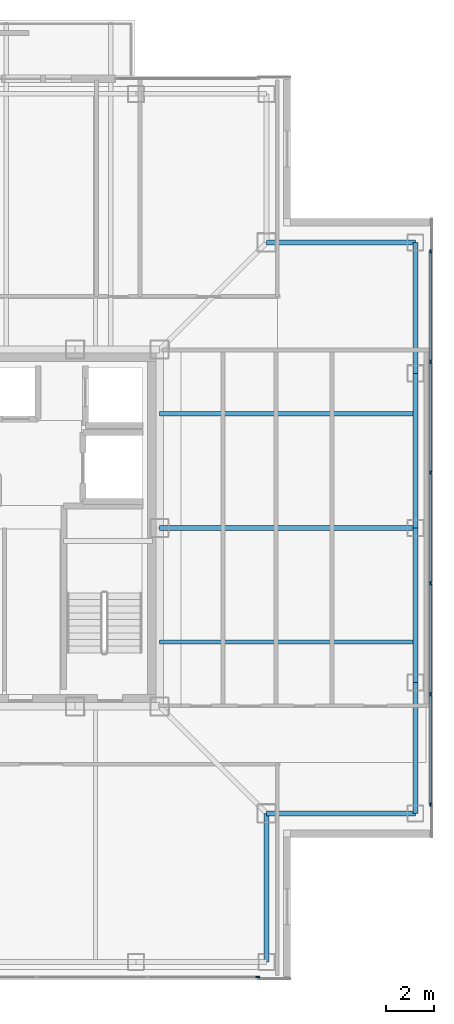
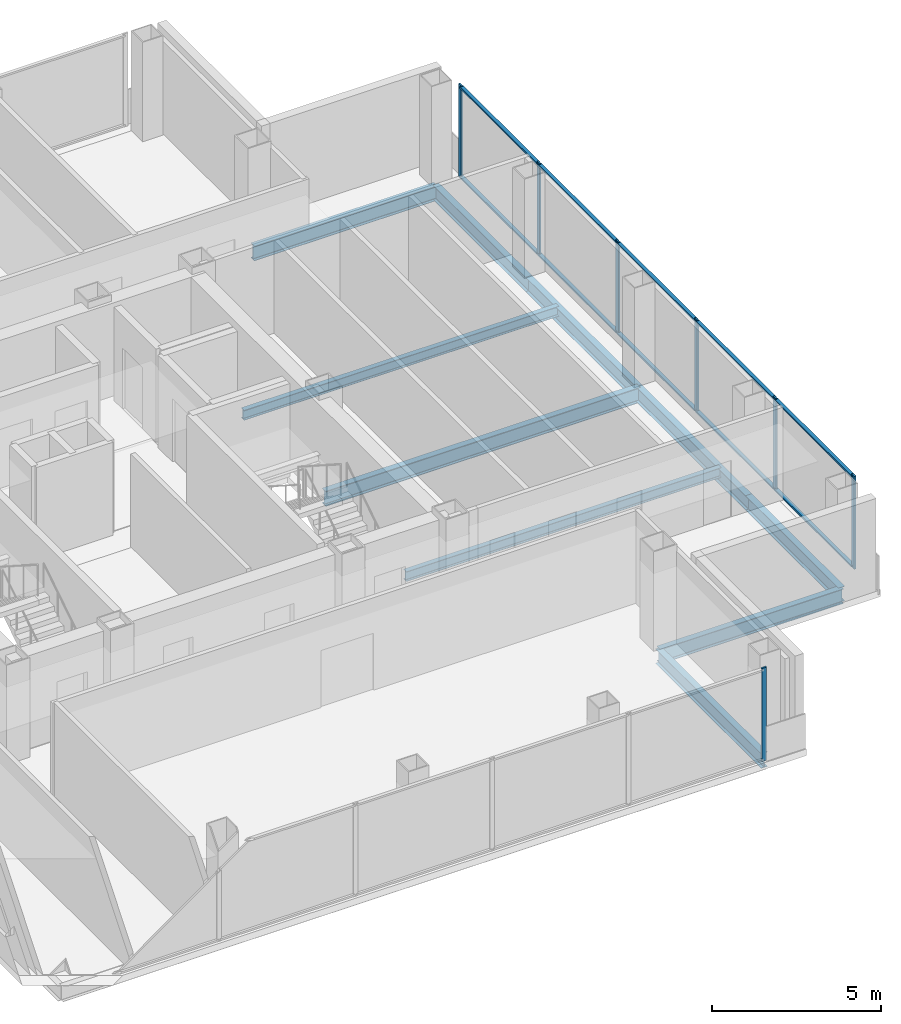
# One storey, part 6 of 13: 17 members, 10 beams, 2 elements without a shape of their own.
"""IFC4 building model written with IfcOpenShell, lengths in metres."""

import ifcopenshell
import ifcopenshell.guid

model = None  # the IFC model being written
_history = None  # IfcOwnerHistory: only IFC2X3 demands one
_inside = {}  # id of a spatial element -> (the spatial element, [elements in it])
_under = {}  # id of a project, library or spatial element -> (it, [spatial elements below it])
_declared = {}  # id of a project -> (the project, [libraries it declares])
_typed = {}  # id of a type object -> (the type object, [elements of that type])
_made_of = {}  # id of a material, layer set ... -> (it, [elements and type objects made of it])


def new_model(schema):
    """Start an empty IFC model of exactly this schema.

    Asked for "IFC4X3", IfcOpenShell would pick the latest addendum, in which some entities
    have other attributes; the version numbers below select the first issue.
    IFC2X3 requires an IfcOwnerHistory on every rooted entity: one is made here for all.
    """
    global model, _history
    if schema == "IFC4X3":
        model = ifcopenshell.file(schema_version=(4, 3, 0, 0))
    else:
        model = ifcopenshell.file(schema=schema)
    _inside.clear()
    _under.clear()
    _declared.clear()
    _typed.clear()
    _made_of.clear()
    _history = None
    if model.schema == "IFC2X3":
        org = make("IfcOrganization", Name="unknown")
        user = make(
            "IfcPersonAndOrganization",
            ThePerson=make("IfcPerson", FamilyName="unknown"),
            TheOrganization=org,
        )
        app = make(
            "IfcApplication",
            ApplicationDeveloper=org,
            Version="unknown",
            ApplicationFullName="unknown",
            ApplicationIdentifier="unknown",
        )
        _history = make(
            "IfcOwnerHistory",
            OwningUser=user,
            OwningApplication=app,
            ChangeAction="ADDED",
            CreationDate=0,
        )
    return model


def make(cls, **values):
    """One entity of the class cls with the attributes given. An attribute that is None is left unset."""
    return model.create_entity(
        cls, **{name: value for name, value in values.items() if value is not None}
    )


def rooted(cls, **values):
    """An entity with a GlobalId (a new one), such as an element, a storey or a relation."""
    return make(cls, GlobalId=ifcopenshell.guid.new(), OwnerHistory=_history, **values)


def si_unit(unit_type, name, prefix=None):
    """IfcSIUnit, for example si_unit("LENGTHUNIT", "METRE", prefix="MILLI")."""
    return make("IfcSIUnit", UnitType=unit_type, Prefix=prefix, Name=name)


def assignment(units):
    """IfcUnitAssignment: the units of a project."""
    return None if units is None else make("IfcUnitAssignment", Units=units)


def point(xyz):
    """IfcCartesianPoint."""
    return None if xyz is None else make("IfcCartesianPoint", Coordinates=xyz)


def direction(xyz):
    """IfcDirection."""
    return None if xyz is None else make("IfcDirection", DirectionRatios=xyz)


def frame(location, z_axis=None, x_axis=None):
    """IfcAxis2Placement3D, a coordinate frame: its origin and axes. An axis left out is left unset."""
    return make(
        "IfcAxis2Placement3D",
        Location=point(location),
        Axis=direction(z_axis),
        RefDirection=direction(x_axis),
    )


def frame_2d(location, x_axis=None):
    """IfcAxis2Placement2D, a coordinate frame in the plane: its origin and x axis."""
    return make(
        "IfcAxis2Placement2D", Location=point(location), RefDirection=direction(x_axis)
    )


def origin():
    """The frame at (0, 0, 0) with its axes left unset."""
    return frame((0.0, 0.0, 0.0))


def origin_2d():
    """The frame at (0, 0) in the plane with its x axis left unset."""
    return frame_2d((0.0, 0.0))


def place(relative_to, where):
    """IfcLocalPlacement: puts the frame where relative to a parent placement (None: the world)."""
    return make(
        "IfcLocalPlacement", PlacementRelTo=relative_to, RelativePlacement=where
    )


def context(
    kind, dimensions, precision=None, world=None, true_north=None, identifier=None
):
    """IfcGeometricRepresentationContext, for example the 3D "Model" context."""
    return make(
        "IfcGeometricRepresentationContext",
        ContextIdentifier=identifier,
        ContextType=kind,
        CoordinateSpaceDimension=dimensions,
        Precision=precision,
        WorldCoordinateSystem=world,
        TrueNorth=true_north,
    )


def subcontext(parent, identifier, kind, view, scale=None):
    """IfcGeometricRepresentationSubContext, for example "Body" below "Model"."""
    return make(
        "IfcGeometricRepresentationSubContext",
        ContextIdentifier=identifier,
        ContextType=kind,
        ParentContext=parent,
        TargetScale=scale,
        TargetView=view,
    )


def project(units=None, contexts=None):
    """IfcProject with its units and contexts."""
    return rooted(
        "IfcProject",
        Name="project",
        RepresentationContexts=contexts,
        UnitsInContext=assignment(units),
    )


def spatial(cls, under=None, at=None, **own):
    """A site, building, storey or space (cls), placed at a placement, below another one or the project."""
    s = rooted(cls, ObjectPlacement=at, **own)
    if under is not None:
        _under.setdefault(under.id(), (under, []))[1].append(s)
    return s


def profile(cls, at=None, kind="AREA", **sizes):
    """A parametric profile (cls). Its sizes go by their IFC names, for example OverallWidth=200.0."""
    return make(cls, ProfileType=kind, Position=at, **sizes)


def rectangle(**sizes):
    """IfcRectangleProfileDef."""
    return profile("IfcRectangleProfileDef", **sizes)


def i_section(**sizes):
    """IfcIShapeProfileDef."""
    return profile("IfcIShapeProfileDef", **sizes)


def extrude(swept, where, along, depth):
    """IfcExtrudedAreaSolid: the profile swept, set in the frame where, extruded along a direction by depth."""
    return make(
        "IfcExtrudedAreaSolid",
        SweptArea=swept,
        Position=where,
        ExtrudedDirection=direction(along),
        Depth=depth,
    )


def shape(context_of_items, identifier, shape_type, items):
    """IfcShapeRepresentation: the items that make up one representation, for example the "Body"."""
    return make(
        "IfcShapeRepresentation",
        ContextOfItems=context_of_items,
        RepresentationIdentifier=identifier,
        RepresentationType=shape_type,
        Items=items,
    )


def material(Name=None, Category=None):
    """IfcMaterial."""
    return make("IfcMaterial", Name=Name, Category=Category)


def layer(
    of_material, thickness, ventilated=None, Name=None, Category=None, Priority=None
):
    """IfcMaterialLayer: one layer of a wall or slab, of a material (None: an air gap)."""
    return make(
        "IfcMaterialLayer",
        Material=of_material,
        LayerThickness=thickness,
        IsVentilated=ventilated,
        Name=Name,
        Category=Category,
        Priority=Priority,
    )


def layer_set(layers, Name=None):
    """IfcMaterialLayerSet."""
    return make("IfcMaterialLayerSet", MaterialLayers=layers, LayerSetName=Name)


def material_profile(
    of_material, cross_section, Name=None, Category=None, Priority=None
):
    """IfcMaterialProfile: a cross section and its material."""
    return make(
        "IfcMaterialProfile",
        Name=Name,
        Material=of_material,
        Profile=cross_section,
        Priority=Priority,
        Category=Category,
    )


def profile_set(profiles, Name=None, composite=None):
    """IfcMaterialProfileSet."""
    return make(
        "IfcMaterialProfileSet",
        Name=Name,
        MaterialProfiles=profiles,
        CompositeProfile=composite,
    )


def made_of(thing, what):
    """Note that an element or type object is made of a material, layer set ...; save() writes the relation."""
    if what is not None:
        _made_of.setdefault(what.id(), (what, []))[1].append(thing)
    return thing


def type_object(cls, material=None, **own):
    """A type object (cls), such as IfcWallType, which elements share."""
    return made_of(rooted(cls, **own), material)


def element(
    cls,
    number,
    at=None,
    inside=None,
    cuts=None,
    type_object=None,
    material=None,
    context=None,
    identifier="Body",
    shape_type=None,
    held_by="IfcProductDefinitionShape",
    body=None,
    shapes=None,
    **own,
):
    """One element of the class cls, such as IfcWall. Its Tag is "e" and its number.

    at: its placement. inside: the storey or other place that contains it. cuts: it is an
    opening in that element (IfcRelVoidsElement). A single representation is given by context,
    identifier, shape_type and body (its items); several are given by shapes. held_by: the class
    of the entity that holds the representations. save() writes the other relations.
    """
    e = rooted(cls, Tag="e%d" % number, ObjectPlacement=at, **own)
    if body is not None:
        shapes = [shape(context, identifier, shape_type, body)]
    if shapes is not None:
        e.Representation = make(held_by, Representations=shapes)
    if inside is not None:
        _inside.setdefault(inside.id(), (inside, []))[1].append(e)
    if cuts is not None:
        rooted(
            "IfcRelVoidsElement", RelatingBuildingElement=cuts, RelatedOpeningElement=e
        )
    if type_object is not None:
        _typed.setdefault(type_object.id(), (type_object, []))[1].append(e)
    return made_of(e, material)


def aggregate(whole, parts):
    """IfcRelAggregates: a whole, such as a stair, and the parts it consists of."""
    return rooted("IfcRelAggregates", RelatingObject=whole, RelatedObjects=parts)


def save(model, path):
    """Write the relations noted so far, then the file.

    IfcRelAggregates (storeys below a building ...), IfcRelContainedInSpatialStructure (elements
    in a storey), IfcRelDefinesByType, IfcRelAssociatesMaterial and IfcRelDeclares: one each for
    every whole, place, type object, material and project.
    """
    for whole, parts in _under.values():
        aggregate(whole, parts)
    for where, things in _inside.values():
        rooted(
            "IfcRelContainedInSpatialStructure",
            RelatedElements=things,
            RelatingStructure=where,
        )
    for kind, things in _typed.values():
        rooted("IfcRelDefinesByType", RelatedObjects=things, RelatingType=kind)
    for what, things in _made_of.values():
        rooted("IfcRelAssociatesMaterial", RelatedObjects=things, RelatingMaterial=what)
    for by, libraries in _declared.values():
        rooted("IfcRelDeclares", RelatingContext=by, RelatedDefinitions=libraries)
    model.write(path)


model = new_model("IFC4")

# Units and contexts
model_context = context("Model", 3, precision=1e-05, world=origin(), true_north=direction((0.0, 1.0)))
body_context = subcontext(model_context, "Body", "Model", "MODEL_VIEW")
ifc_project = project(units=[si_unit("LENGTHUNIT", "METRE"), si_unit("AREAUNIT", "SQUARE_METRE"), si_unit("VOLUMEUNIT", "CUBIC_METRE"), si_unit("PLANEANGLEUNIT", "RADIAN"), si_unit("MASSUNIT", "GRAM", prefix="KILO")], contexts=[model_context])

# Site, building, storey
site_placement = place(None, origin())
site = spatial("IfcSite", under=ifc_project, at=site_placement, CompositionType="ELEMENT")
building_placement = place(site_placement, origin())
building = spatial("IfcBuilding", under=site, at=building_placement, Name="Trevonay Congress Spire", CompositionType="ELEMENT")
storey_placement = place(building_placement, frame((0.0, 0.0, 254.0)))
storey = spatial("IfcBuildingStorey", under=building, at=storey_placement, Name="L66", CompositionType="ELEMENT", Elevation=254.0)

# Beams
ifc_material_1 = material(Name="Steel ASTM A572 Grade 50", Category="steel")
ifc_material_profile_1 = material_profile(ifc_material_1, i_section(OverallWidth=0.2119140625, OverallDepth=0.5439453125, WebThickness=0.01318359375, FlangeThickness=0.021240234375, FilletRadius=0.014892578125, at=origin_2d()), Name="W530x123")
ifc_profile_set_1 = profile_set([ifc_material_profile_1], Name="Steel ASTM A572 Grade 50")
beam_type_1 = type_object("IfcBeamType", Name="BM-GIRD-W530X123", PredefinedType="BEAM", material=ifc_profile_set_1)
beam_1_placement = place(storey_placement, frame((7.5, 0.0, -0.511962890625), z_axis=(1.0, 0.0, 0.0), x_axis=(0.0, 1.0, 0.0)))
element("IfcBeam", 1, at=beam_1_placement, inside=storey, type_object=beam_type_1, Name="L66 structural beam BM-L66-GC-E", PredefinedType="BEAM", context=body_context, shape_type="SweptSolid", body=[
    extrude(i_section(OverallWidth=0.2119140625, OverallDepth=0.5439453125, WebThickness=0.01318359375, FlangeThickness=0.021240234375, FilletRadius=0.014892578125, at=origin_2d()), origin(), (0.0, 0.0, 1.0), 10.75),
])
ifc_material_profile_2 = material_profile(ifc_material_1, i_section(OverallWidth=0.208984375, OverallDepth=0.532958984375, WebThickness=0.01025390625, FlangeThickness=0.015625, FilletRadius=0.014892578125, at=origin_2d()), Name="W530x92")
ifc_profile_set_2 = profile_set([ifc_material_profile_2], Name="Steel ASTM A572 Grade 50")
beam_type_2 = type_object("IfcBeamType", Name="BM-RING-W530X92", PredefinedType="BEAM", material=ifc_profile_set_2)
beam_2_placement = place(storey_placement, frame((18.25, -12.0, -0.506591796875), z_axis=(0.0, 1.0, 0.0), x_axis=(-1.0, 0.0, 0.0)))
element("IfcBeam", 2, at=beam_2_placement, inside=storey, type_object=beam_type_2, Name="L66 structural beam BM-L66-PE1", PredefinedType="BEAM", context=body_context, shape_type="SweptSolid", body=[
    extrude(i_section(OverallWidth=0.208984375, OverallDepth=0.532958984375, WebThickness=0.01025390625, FlangeThickness=0.015625, FilletRadius=0.014892578125, at=origin_2d()), origin(), (0.0, 0.0, 1.0), 5.5),
])
for number, where, z_axis, x_axis, name in (
    (3, (18.25, -6.5, -0.506591796875), (0.0, 1.0, 0.0), (-1.0, 0.0, 0.0), "L66 structural beam BM-L66-PE2"),
    (4, (18.25, 0.0, -0.506591796875), (0.0, 1.0, 0.0), (-1.0, 0.0, 0.0), "L66 structural beam BM-L66-PE3"),
):
    element("IfcBeam", number, at=place(storey_placement, frame(where, z_axis=z_axis, x_axis=x_axis)), inside=storey, type_object=beam_type_2, Name=name, PredefinedType="BEAM", context=body_context, shape_type="SweptSolid", body=[
        extrude(i_section(OverallWidth=0.208984375, OverallDepth=0.532958984375, WebThickness=0.01025390625, FlangeThickness=0.015625, FilletRadius=0.014892578125, at=origin_2d()), origin(), (0.0, 0.0, 1.0), 6.5),
    ])
beam_3_placement = place(storey_placement, frame((18.25, 6.5, -0.506591796875), z_axis=(0.0, 1.0, 0.0), x_axis=(-1.0, 0.0, 0.0)))
element("IfcBeam", 5, at=beam_3_placement, inside=storey, type_object=beam_type_2, Name="L66 structural beam BM-L66-PE4", PredefinedType="BEAM", context=body_context, shape_type="SweptSolid", body=[
    extrude(i_section(OverallWidth=0.208984375, OverallDepth=0.532958984375, WebThickness=0.01025390625, FlangeThickness=0.015625, FilletRadius=0.014892578125, at=origin_2d()), origin(), (0.0, 0.0, 1.0), 5.5),
])
for number, where, z_axis, x_axis, name in (
    (6, (12.0, -18.25, -0.506591796875), (0.0, 1.0, 0.0), (-1.0, 0.0, 0.0), "L66 structural beam BM-L66-N1SE"),
    (7, (18.25, -12.0, -0.506591796875), (-1.0, 0.0, 0.0), (0.0, -1.0, 0.0), "L66 structural beam BM-L66-N2SE"),
    (8, (18.25, 12.0, -0.506591796875), (-1.0, 0.0, 0.0), (0.0, -1.0, 0.0), "L66 structural beam BM-L66-N2NE"),
):
    element("IfcBeam", number, at=place(storey_placement, frame(where, z_axis=z_axis, x_axis=x_axis)), inside=storey, type_object=beam_type_2, Name=name, PredefinedType="BEAM", context=body_context, shape_type="SweptSolid", body=[
        extrude(i_section(OverallWidth=0.208984375, OverallDepth=0.532958984375, WebThickness=0.01025390625, FlangeThickness=0.015625, FilletRadius=0.014892578125, at=origin_2d()), origin(), (0.0, 0.0, 1.0), 6.25),
    ])

# Curtain wall, member
ifc_material_2 = material(Name="Pale Anodised Aluminium EN AW-6063-T6", Category="aluminium")
ifc_layer = layer(ifc_material_2, 0.1650390625, Name="Pale Anodised Aluminium EN AW-6063-T6")
ifc_layer_set = layer_set([ifc_layer], Name="Pale Anodised Aluminium EN AW-6063-T6")
curtain_wall_type = type_object("IfcCurtainWallType", Name="CW-SYS05-DIPLOM-PALE-METAL", PredefinedType="NOTDEFINED", material=ifc_layer_set)
curtain_wall_1_placement = place(storey_placement, origin())
curtain_wall_1 = element("IfcCurtainWall", 9, at=curtain_wall_1_placement, inside=storey, type_object=curtain_wall_type, Name="L66 S unitised curtain wall", PredefinedType="NOTDEFINED")
ifc_material_profile_3 = material_profile(ifc_material_2, rectangle(XDim=0.06005859375, YDim=0.159912109375, at=origin_2d()), Name="CW-MULLION-160-ALUMINIUM")
ifc_profile_set_3 = profile_set([ifc_material_profile_3], Name="Pale Anodised Aluminium EN AW-6063-T6")
member_type_1 = type_object("IfcMemberType", Name="CW-MULLION-160-ALUMINIUM", PredefinedType="MULLION", material=ifc_profile_set_3)
member_1_placement = place(storey_placement, frame((11.6201171875, -18.8798828125, 0.0), z_axis=(0.0, 0.0, 1.0), x_axis=(0.0, 1.0, 0.0)))
member_1 = element("IfcMember", 10, at=member_1_placement, type_object=member_type_1, Name="CW05 mullion 6", PredefinedType="MULLION", context=body_context, shape_type="SweptSolid", body=[
    extrude(rectangle(XDim=0.06005859375, YDim=0.159912109375, at=origin_2d()), origin(), (0.0, 0.0, 1.0), 3.360107421875),
])
aggregate(curtain_wall_1, [member_1])

# Curtain wall, members
curtain_wall_2_placement = place(storey_placement, origin())
curtain_wall_2 = element("IfcCurtainWall", 11, at=curtain_wall_2_placement, inside=storey, type_object=curtain_wall_type, Name="L66 E unitised curtain wall", PredefinedType="NOTDEFINED")
member_2_placement = place(storey_placement, frame((18.8798828125, -11.6201171875, 0.0), z_axis=(0.0, 0.0, 1.0), x_axis=(-1.0, 0.0, 0.0)))
member_2 = element("IfcMember", 12, at=member_2_placement, type_object=member_type_1, Name="CW05 mullion 1", PredefinedType="MULLION", context=body_context, shape_type="SweptSolid", body=[
    extrude(rectangle(XDim=0.06005859375, YDim=0.159912109375, at=origin_2d()), origin(), (0.0, 0.0, 1.0), 3.360107421875),
])
member_3_placement = place(storey_placement, frame((18.8798828125, -6.989990234375, 0.0), z_axis=(0.0, 0.0, 1.0), x_axis=(-1.0, 0.0, 0.0)))
member_3 = element("IfcMember", 13, at=member_3_placement, type_object=member_type_1, Name="CW05 mullion 2", PredefinedType="MULLION", context=body_context, shape_type="SweptSolid", body=[
    extrude(rectangle(XDim=0.06005859375, YDim=0.159912109375, at=origin_2d()), origin(), (0.0, 0.0, 1.0), 3.360107421875),
])
member_4_placement = place(storey_placement, frame((18.8798828125, -2.330078125, 0.0), z_axis=(0.0, 0.0, 1.0), x_axis=(-1.0, 0.0, 0.0)))
member_4 = element("IfcMember", 14, at=member_4_placement, type_object=member_type_1, Name="CW05 mullion 3", PredefinedType="MULLION", context=body_context, shape_type="SweptSolid", body=[
    extrude(rectangle(XDim=0.06005859375, YDim=0.159912109375, at=origin_2d()), origin(), (0.0, 0.0, 1.0), 3.360107421875),
])
member_5_placement = place(storey_placement, frame((18.8798828125, 2.330078125, 0.0), z_axis=(0.0, 0.0, 1.0), x_axis=(-1.0, 0.0, 0.0)))
member_5 = element("IfcMember", 15, at=member_5_placement, type_object=member_type_1, Name="CW05 mullion 4", PredefinedType="MULLION", context=body_context, shape_type="SweptSolid", body=[
    extrude(rectangle(XDim=0.06005859375, YDim=0.159912109375, at=origin_2d()), origin(), (0.0, 0.0, 1.0), 3.360107421875),
])
member_6_placement = place(storey_placement, frame((18.8798828125, 6.989990234375, 0.0), z_axis=(0.0, 0.0, 1.0), x_axis=(-1.0, 0.0, 0.0)))
member_6 = element("IfcMember", 16, at=member_6_placement, type_object=member_type_1, Name="CW05 mullion 5", PredefinedType="MULLION", context=body_context, shape_type="SweptSolid", body=[
    extrude(rectangle(XDim=0.06005859375, YDim=0.159912109375, at=origin_2d()), origin(), (0.0, 0.0, 1.0), 3.360107421875),
])
member_7_placement = place(storey_placement, frame((18.8798828125, 11.6201171875, 0.0), z_axis=(0.0, 0.0, 1.0), x_axis=(-1.0, 0.0, 0.0)))
member_7 = element("IfcMember", 17, at=member_7_placement, type_object=member_type_1, Name="CW05 mullion 6", PredefinedType="MULLION", context=body_context, shape_type="SweptSolid", body=[
    extrude(rectangle(XDim=0.06005859375, YDim=0.159912109375, at=origin_2d()), origin(), (0.0, 0.0, 1.0), 3.360107421875),
])
ifc_material_profile_4 = material_profile(ifc_material_2, rectangle(XDim=0.1201171875, YDim=0.06005859375, at=origin_2d()), Name="CW-TRANSOM-120-ALUMINIUM")
ifc_profile_set_4 = profile_set([ifc_material_profile_4], Name="Pale Anodised Aluminium EN AW-6063-T6")
member_type_2 = type_object("IfcMemberType", Name="CW-TRANSOM-120-ALUMINIUM", PredefinedType="USERDEFINED", material=ifc_profile_set_4)
member_8_placement = place(storey_placement, frame((18.8798828125, -11.590087890625, 0.06005859375), z_axis=(0.0, 1.0, 0.0), x_axis=(-1.0, 0.0, 0.0)))
member_8 = element("IfcMember", 18, at=member_8_placement, type_object=member_type_2, Name="CW05 transom 1.1", ObjectType="TRANSOM", PredefinedType="USERDEFINED", context=body_context, shape_type="SweptSolid", body=[
    extrude(rectangle(XDim=0.1201171875, YDim=0.06005859375, at=origin_2d()), origin(), (0.0, 0.0, 1.0), 4.570068359375),
])
member_9_placement = place(storey_placement, frame((18.8798828125, -11.590087890625, 3.300048828125), z_axis=(0.0, 1.0, 0.0), x_axis=(-1.0, 0.0, 0.0)))
member_9 = element("IfcMember", 19, at=member_9_placement, type_object=member_type_2, Name="CW05 transom 1.2", ObjectType="TRANSOM", PredefinedType="USERDEFINED", context=body_context, shape_type="SweptSolid", body=[
    extrude(rectangle(XDim=0.1201171875, YDim=0.06005859375, at=origin_2d()), origin(), (0.0, 0.0, 1.0), 4.570068359375),
])
member_10_placement = place(storey_placement, frame((18.8798828125, -6.9599609375, 0.06005859375), z_axis=(0.0, 1.0, 0.0), x_axis=(-1.0, 0.0, 0.0)))
member_10 = element("IfcMember", 20, at=member_10_placement, type_object=member_type_2, Name="CW05 transom 2.1", ObjectType="TRANSOM", PredefinedType="USERDEFINED", context=body_context, shape_type="SweptSolid", body=[
    extrude(rectangle(XDim=0.1201171875, YDim=0.06005859375, at=origin_2d()), origin(), (0.0, 0.0, 1.0), 4.599853515625),
])
member_11_placement = place(storey_placement, frame((18.8798828125, -6.9599609375, 3.300048828125), z_axis=(0.0, 1.0, 0.0), x_axis=(-1.0, 0.0, 0.0)))
member_11 = element("IfcMember", 21, at=member_11_placement, type_object=member_type_2, Name="CW05 transom 2.2", ObjectType="TRANSOM", PredefinedType="USERDEFINED", context=body_context, shape_type="SweptSolid", body=[
    extrude(rectangle(XDim=0.1201171875, YDim=0.06005859375, at=origin_2d()), origin(), (0.0, 0.0, 1.0), 4.599853515625),
])
member_12_placement = place(storey_placement, frame((18.8798828125, -2.300048828125, 0.06005859375), z_axis=(0.0, 1.0, 0.0), x_axis=(-1.0, 0.0, 0.0)))
member_12 = element("IfcMember", 22, at=member_12_placement, type_object=member_type_2, Name="CW05 transom 3.1", ObjectType="TRANSOM", PredefinedType="USERDEFINED", context=body_context, shape_type="SweptSolid", body=[
    extrude(rectangle(XDim=0.1201171875, YDim=0.06005859375, at=origin_2d()), origin(), (0.0, 0.0, 1.0), 4.60009765625),
])
member_13_placement = place(storey_placement, frame((18.8798828125, -2.300048828125, 3.300048828125), z_axis=(0.0, 1.0, 0.0), x_axis=(-1.0, 0.0, 0.0)))
member_13 = element("IfcMember", 23, at=member_13_placement, type_object=member_type_2, Name="CW05 transom 3.2", ObjectType="TRANSOM", PredefinedType="USERDEFINED", context=body_context, shape_type="SweptSolid", body=[
    extrude(rectangle(XDim=0.1201171875, YDim=0.06005859375, at=origin_2d()), origin(), (0.0, 0.0, 1.0), 4.60009765625),
])
member_14_placement = place(storey_placement, frame((18.8798828125, 2.360107421875, 0.06005859375), z_axis=(0.0, 1.0, 0.0), x_axis=(-1.0, 0.0, 0.0)))
member_14 = element("IfcMember", 24, at=member_14_placement, type_object=member_type_2, Name="CW05 transom 4.1", ObjectType="TRANSOM", PredefinedType="USERDEFINED", context=body_context, shape_type="SweptSolid", body=[
    extrude(rectangle(XDim=0.1201171875, YDim=0.06005859375, at=origin_2d()), origin(), (0.0, 0.0, 1.0), 4.599853515625),
])
member_15_placement = place(storey_placement, frame((18.8798828125, 2.360107421875, 3.300048828125), z_axis=(0.0, 1.0, 0.0), x_axis=(-1.0, 0.0, 0.0)))
member_15 = element("IfcMember", 25, at=member_15_placement, type_object=member_type_2, Name="CW05 transom 4.2", ObjectType="TRANSOM", PredefinedType="USERDEFINED", context=body_context, shape_type="SweptSolid", body=[
    extrude(rectangle(XDim=0.1201171875, YDim=0.06005859375, at=origin_2d()), origin(), (0.0, 0.0, 1.0), 4.599853515625),
])
member_16_placement = place(storey_placement, frame((18.8798828125, 7.02001953125, 0.06005859375), z_axis=(0.0, 1.0, 0.0), x_axis=(-1.0, 0.0, 0.0)))
member_16 = element("IfcMember", 26, at=member_16_placement, type_object=member_type_2, Name="CW05 transom 5.1", ObjectType="TRANSOM", PredefinedType="USERDEFINED", context=body_context, shape_type="SweptSolid", body=[
    extrude(rectangle(XDim=0.1201171875, YDim=0.06005859375, at=origin_2d()), origin(), (0.0, 0.0, 1.0), 4.570068359375),
])
member_17_placement = place(storey_placement, frame((18.8798828125, 7.02001953125, 3.300048828125), z_axis=(0.0, 1.0, 0.0), x_axis=(-1.0, 0.0, 0.0)))
member_17 = element("IfcMember", 27, at=member_17_placement, type_object=member_type_2, Name="CW05 transom 5.2", ObjectType="TRANSOM", PredefinedType="USERDEFINED", context=body_context, shape_type="SweptSolid", body=[
    extrude(rectangle(XDim=0.1201171875, YDim=0.06005859375, at=origin_2d()), origin(), (0.0, 0.0, 1.0), 4.570068359375),
])
aggregate(curtain_wall_2, [member_2, member_3, member_4, member_5, member_6, member_7, member_8, member_9, member_10, member_11, member_12, member_13, member_14, member_15, member_16, member_17])

# Beams
ifc_material_profile_5 = material_profile(ifc_material_1, i_section(OverallWidth=0.172119140625, OverallDepth=0.35791015625, WebThickness=0.0078125, FlangeThickness=0.01318359375, FilletRadius=0.011962890625, at=origin_2d()), Name="W360x57.8")
ifc_profile_set_5 = profile_set([ifc_material_profile_5], Name="Steel ASTM A572 Grade 50")
beam_type_3 = type_object("IfcBeamType", Name="JS-COMP-W360X57", PredefinedType="JOIST", material=ifc_profile_set_5)
for number, where, z_axis, x_axis, name in (
    (28, (7.5, -4.800048828125, -0.4189453125), (1.0, 0.0, 0.0), (0.0, 1.0, 0.0), "L66 structural beam JS-L66-EW-E1"),
    (29, (7.5, 4.800048828125, -0.4189453125), (1.0, 0.0, 0.0), (0.0, 1.0, 0.0), "L66 structural beam JS-L66-EW-E3"),
):
    element("IfcBeam", number, at=place(storey_placement, frame(where, z_axis=z_axis, x_axis=x_axis)), inside=storey, type_object=beam_type_3, Name=name, PredefinedType="JOIST", context=body_context, shape_type="SweptSolid", body=[
        extrude(i_section(OverallWidth=0.172119140625, OverallDepth=0.35791015625, WebThickness=0.0078125, FlangeThickness=0.01318359375, FilletRadius=0.011962890625, at=origin_2d()), origin(), (0.0, 0.0, 1.0), 10.75),
    ])

save(model, "model.ifc")
